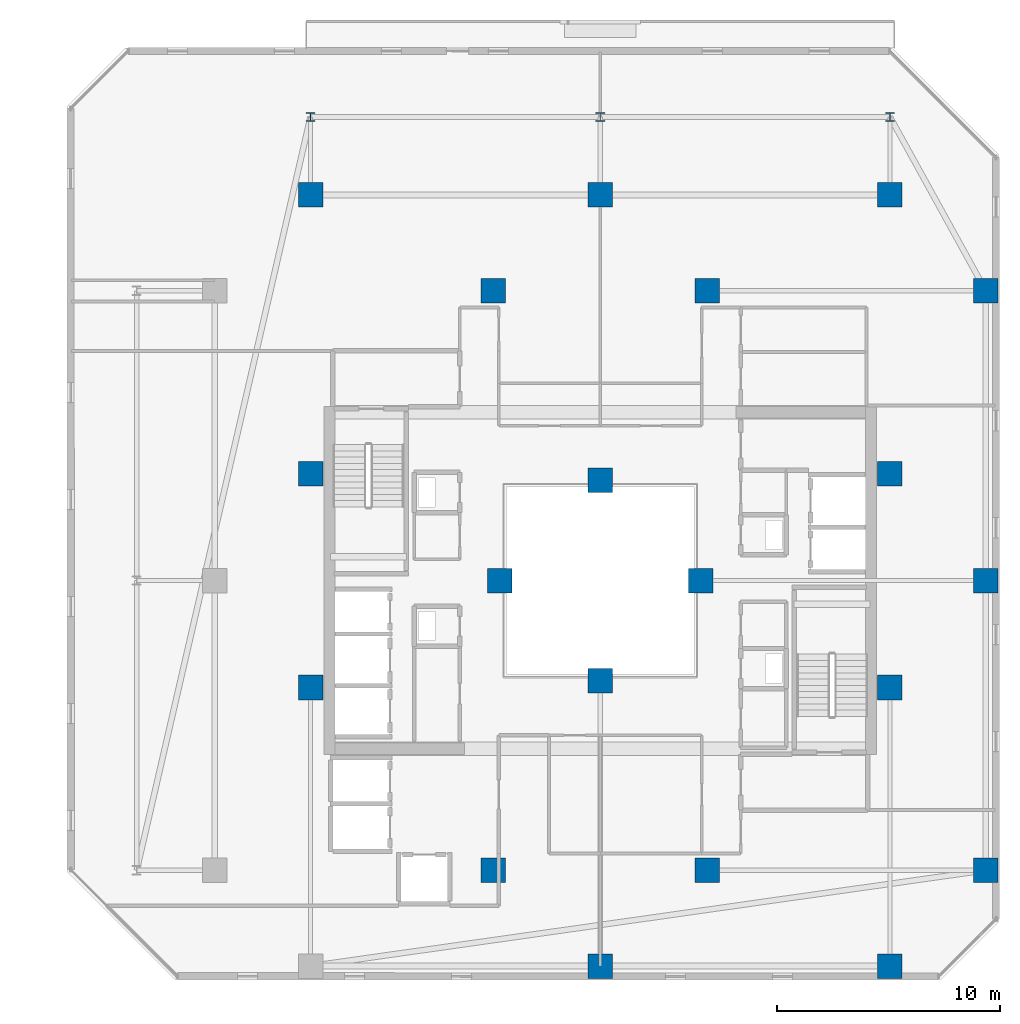
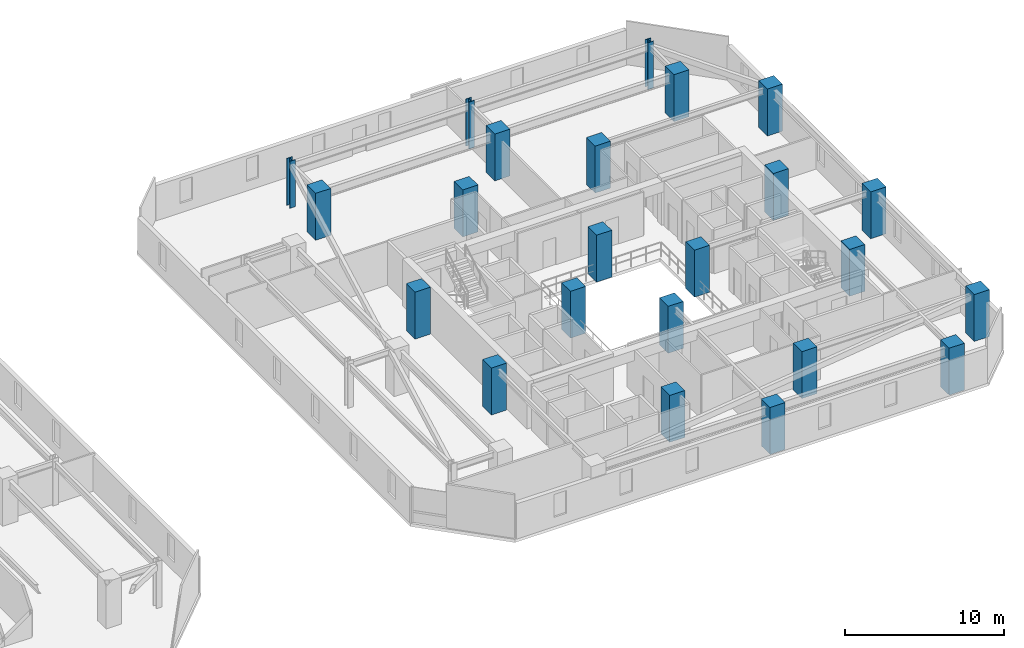
# One storey, part 2 of 33: 23 columns.
"""IFC4 building model written with IfcOpenShell, lengths in metres."""

import ifcopenshell
import ifcopenshell.guid

model = None  # the IFC model being written
_history = None  # IfcOwnerHistory: only IFC2X3 demands one
_inside = {}  # id of a spatial element -> (the spatial element, [elements in it])
_under = {}  # id of a project, library or spatial element -> (it, [spatial elements below it])
_declared = {}  # id of a project -> (the project, [libraries it declares])
_typed = {}  # id of a type object -> (the type object, [elements of that type])
_made_of = {}  # id of a material, layer set ... -> (it, [elements and type objects made of it])


def new_model(schema):
    """Start an empty IFC model of exactly this schema.

    Asked for "IFC4X3", IfcOpenShell would pick the latest addendum, in which some entities
    have other attributes; the version numbers below select the first issue.
    IFC2X3 requires an IfcOwnerHistory on every rooted entity: one is made here for all.
    """
    global model, _history
    if schema == "IFC4X3":
        model = ifcopenshell.file(schema_version=(4, 3, 0, 0))
    else:
        model = ifcopenshell.file(schema=schema)
    _inside.clear()
    _under.clear()
    _declared.clear()
    _typed.clear()
    _made_of.clear()
    _history = None
    if model.schema == "IFC2X3":
        org = make("IfcOrganization", Name="unknown")
        user = make(
            "IfcPersonAndOrganization",
            ThePerson=make("IfcPerson", FamilyName="unknown"),
            TheOrganization=org,
        )
        app = make(
            "IfcApplication",
            ApplicationDeveloper=org,
            Version="unknown",
            ApplicationFullName="unknown",
            ApplicationIdentifier="unknown",
        )
        _history = make(
            "IfcOwnerHistory",
            OwningUser=user,
            OwningApplication=app,
            ChangeAction="ADDED",
            CreationDate=0,
        )
    return model


def make(cls, **values):
    """One entity of the class cls with the attributes given. An attribute that is None is left unset."""
    return model.create_entity(
        cls, **{name: value for name, value in values.items() if value is not None}
    )


def rooted(cls, **values):
    """An entity with a GlobalId (a new one), such as an element, a storey or a relation."""
    return make(cls, GlobalId=ifcopenshell.guid.new(), OwnerHistory=_history, **values)


def si_unit(unit_type, name, prefix=None):
    """IfcSIUnit, for example si_unit("LENGTHUNIT", "METRE", prefix="MILLI")."""
    return make("IfcSIUnit", UnitType=unit_type, Prefix=prefix, Name=name)


def assignment(units):
    """IfcUnitAssignment: the units of a project."""
    return None if units is None else make("IfcUnitAssignment", Units=units)


def point(xyz):
    """IfcCartesianPoint."""
    return None if xyz is None else make("IfcCartesianPoint", Coordinates=xyz)


def direction(xyz):
    """IfcDirection."""
    return None if xyz is None else make("IfcDirection", DirectionRatios=xyz)


def frame(location, z_axis=None, x_axis=None):
    """IfcAxis2Placement3D, a coordinate frame: its origin and axes. An axis left out is left unset."""
    return make(
        "IfcAxis2Placement3D",
        Location=point(location),
        Axis=direction(z_axis),
        RefDirection=direction(x_axis),
    )


def frame_2d(location, x_axis=None):
    """IfcAxis2Placement2D, a coordinate frame in the plane: its origin and x axis."""
    return make(
        "IfcAxis2Placement2D", Location=point(location), RefDirection=direction(x_axis)
    )


def origin():
    """The frame at (0, 0, 0) with its axes left unset."""
    return frame((0.0, 0.0, 0.0))


def origin_2d():
    """The frame at (0, 0) in the plane with its x axis left unset."""
    return frame_2d((0.0, 0.0))


def place(relative_to, where):
    """IfcLocalPlacement: puts the frame where relative to a parent placement (None: the world)."""
    return make(
        "IfcLocalPlacement", PlacementRelTo=relative_to, RelativePlacement=where
    )


def context(
    kind, dimensions, precision=None, world=None, true_north=None, identifier=None
):
    """IfcGeometricRepresentationContext, for example the 3D "Model" context."""
    return make(
        "IfcGeometricRepresentationContext",
        ContextIdentifier=identifier,
        ContextType=kind,
        CoordinateSpaceDimension=dimensions,
        Precision=precision,
        WorldCoordinateSystem=world,
        TrueNorth=true_north,
    )


def subcontext(parent, identifier, kind, view, scale=None):
    """IfcGeometricRepresentationSubContext, for example "Body" below "Model"."""
    return make(
        "IfcGeometricRepresentationSubContext",
        ContextIdentifier=identifier,
        ContextType=kind,
        ParentContext=parent,
        TargetScale=scale,
        TargetView=view,
    )


def project(units=None, contexts=None):
    """IfcProject with its units and contexts."""
    return rooted(
        "IfcProject",
        Name="project",
        RepresentationContexts=contexts,
        UnitsInContext=assignment(units),
    )


def spatial(cls, under=None, at=None, **own):
    """A site, building, storey or space (cls), placed at a placement, below another one or the project."""
    s = rooted(cls, ObjectPlacement=at, **own)
    if under is not None:
        _under.setdefault(under.id(), (under, []))[1].append(s)
    return s


def profile(cls, at=None, kind="AREA", **sizes):
    """A parametric profile (cls). Its sizes go by their IFC names, for example OverallWidth=200.0."""
    return make(cls, ProfileType=kind, Position=at, **sizes)


def rectangle(**sizes):
    """IfcRectangleProfileDef."""
    return profile("IfcRectangleProfileDef", **sizes)


def i_section(**sizes):
    """IfcIShapeProfileDef."""
    return profile("IfcIShapeProfileDef", **sizes)


def extrude(swept, where, along, depth):
    """IfcExtrudedAreaSolid: the profile swept, set in the frame where, extruded along a direction by depth."""
    return make(
        "IfcExtrudedAreaSolid",
        SweptArea=swept,
        Position=where,
        ExtrudedDirection=direction(along),
        Depth=depth,
    )


def shape(context_of_items, identifier, shape_type, items):
    """IfcShapeRepresentation: the items that make up one representation, for example the "Body"."""
    return make(
        "IfcShapeRepresentation",
        ContextOfItems=context_of_items,
        RepresentationIdentifier=identifier,
        RepresentationType=shape_type,
        Items=items,
    )


def material(Name=None, Category=None):
    """IfcMaterial."""
    return make("IfcMaterial", Name=Name, Category=Category)


def material_profile(
    of_material, cross_section, Name=None, Category=None, Priority=None
):
    """IfcMaterialProfile: a cross section and its material."""
    return make(
        "IfcMaterialProfile",
        Name=Name,
        Material=of_material,
        Profile=cross_section,
        Priority=Priority,
        Category=Category,
    )


def profile_set(profiles, Name=None, composite=None):
    """IfcMaterialProfileSet."""
    return make(
        "IfcMaterialProfileSet",
        Name=Name,
        MaterialProfiles=profiles,
        CompositeProfile=composite,
    )


def made_of(thing, what):
    """Note that an element or type object is made of a material, layer set ...; save() writes the relation."""
    if what is not None:
        _made_of.setdefault(what.id(), (what, []))[1].append(thing)
    return thing


def type_object(cls, material=None, **own):
    """A type object (cls), such as IfcWallType, which elements share."""
    return made_of(rooted(cls, **own), material)


def element(
    cls,
    number,
    at=None,
    inside=None,
    cuts=None,
    type_object=None,
    material=None,
    context=None,
    identifier="Body",
    shape_type=None,
    held_by="IfcProductDefinitionShape",
    body=None,
    shapes=None,
    **own,
):
    """One element of the class cls, such as IfcWall. Its Tag is "e" and its number.

    at: its placement. inside: the storey or other place that contains it. cuts: it is an
    opening in that element (IfcRelVoidsElement). A single representation is given by context,
    identifier, shape_type and body (its items); several are given by shapes. held_by: the class
    of the entity that holds the representations. save() writes the other relations.
    """
    e = rooted(cls, Tag="e%d" % number, ObjectPlacement=at, **own)
    if body is not None:
        shapes = [shape(context, identifier, shape_type, body)]
    if shapes is not None:
        e.Representation = make(held_by, Representations=shapes)
    if inside is not None:
        _inside.setdefault(inside.id(), (inside, []))[1].append(e)
    if cuts is not None:
        rooted(
            "IfcRelVoidsElement", RelatingBuildingElement=cuts, RelatedOpeningElement=e
        )
    if type_object is not None:
        _typed.setdefault(type_object.id(), (type_object, []))[1].append(e)
    return made_of(e, material)


def aggregate(whole, parts):
    """IfcRelAggregates: a whole, such as a stair, and the parts it consists of."""
    return rooted("IfcRelAggregates", RelatingObject=whole, RelatedObjects=parts)


def save(model, path):
    """Write the relations noted so far, then the file.

    IfcRelAggregates (storeys below a building ...), IfcRelContainedInSpatialStructure (elements
    in a storey), IfcRelDefinesByType, IfcRelAssociatesMaterial and IfcRelDeclares: one each for
    every whole, place, type object, material and project.
    """
    for whole, parts in _under.values():
        aggregate(whole, parts)
    for where, things in _inside.values():
        rooted(
            "IfcRelContainedInSpatialStructure",
            RelatedElements=things,
            RelatingStructure=where,
        )
    for kind, things in _typed.values():
        rooted("IfcRelDefinesByType", RelatedObjects=things, RelatingType=kind)
    for what, things in _made_of.values():
        rooted("IfcRelAssociatesMaterial", RelatedObjects=things, RelatingMaterial=what)
    for by, libraries in _declared.values():
        rooted("IfcRelDeclares", RelatingContext=by, RelatedDefinitions=libraries)
    model.write(path)


model = new_model("IFC4")

# Units and contexts
model_context = context("Model", 3, precision=1e-05, world=origin(), true_north=direction((0.0, 1.0)))
body_context = subcontext(model_context, "Body", "Model", "MODEL_VIEW")
ifc_project = project(units=[si_unit("LENGTHUNIT", "METRE"), si_unit("AREAUNIT", "SQUARE_METRE"), si_unit("VOLUMEUNIT", "CUBIC_METRE"), si_unit("PLANEANGLEUNIT", "RADIAN"), si_unit("MASSUNIT", "GRAM", prefix="KILO")], contexts=[model_context])

# Site, building, storey
site_placement = place(None, origin())
site = spatial("IfcSite", under=ifc_project, at=site_placement, CompositionType="ELEMENT")
building_placement = place(site_placement, origin())
building = spatial("IfcBuilding", under=site, at=building_placement, Name="Thornwick Lancets Civic Towers", CompositionType="ELEMENT")
storey_placement = place(building_placement, frame((0.0, 0.0, 192.89990234375)))
storey = spatial("IfcBuildingStorey", under=building, at=storey_placement, Name="L51", CompositionType="ELEMENT", Elevation=192.89990234375)

# Columns
ifc_material_1 = material(Name="Concrete C50/60", Category="concrete")
ifc_material_profile_1 = material_profile(ifc_material_1, rectangle(XDim=1.10009765625, YDim=1.10009765625, at=origin_2d()), Name="RC 1100x1100")
ifc_profile_set_1 = profile_set([ifc_material_profile_1], Name="Concrete C50/60")
column_type_1 = type_object("IfcColumnType", Name="COL_RC_1100", PredefinedType="COLUMN", material=ifc_profile_set_1)
for number, where, z_axis, x_axis, name in (
    (1, (105.800048828125, 14.0, 0.0), (0.0, 0.0, 1.0), (1.0, 0.0, 0.0), "L51 Spine Mega-Column B01"),
    (2, (105.800048828125, 27.0, 0.0), (0.0, 0.0, 1.0), (1.0, 0.0, 0.0), "L51 Spine Mega-Column B02"),
    (3, (105.800048828125, 40.0, 0.0), (0.0, 0.0, 1.0), (1.0, 0.0, 0.0), "L51 Spine Mega-Column B03"),
    (4, (101.5, 44.300048828125, 0.0), (0.0, 0.0, 1.0), (1.0, 0.0, 0.0), "L51 Spine Mega-Column B04"),
    (5, (88.5, 44.300048828125, 0.0), (0.0, 0.0, 1.0), (1.0, 0.0, 0.0), "L51 Spine Mega-Column B05"),
    (6, (75.5, 44.300048828125, 0.0), (0.0, 0.0, 1.0), (1.0, 0.0, 0.0), "L51 Spine Mega-Column B06"),
    (7, (101.5, 9.699951171875, 0.0), (0.0, 0.0, 1.0), (1.0, 0.0, 0.0), "L51 Spine Mega-Column B10"),
    (8, (88.5, 9.699951171875, 0.0), (0.0, 0.0, 1.0), (1.0, 0.0, 0.0), "L51 Spine Mega-Column B11"),
    (9, (93.300048828125, 14.0, 0.0), (0.0, 0.0, 1.0), (1.0, 0.0, 0.0), "L51 Spine Mega-Column B13"),
    (10, (93.300048828125, 40.0, 0.0), (0.0, 0.0, 1.0), (1.0, 0.0, 0.0), "L51 Spine Mega-Column B14"),
    (11, (83.699951171875, 14.0, 0.0), (0.0, 0.0, 1.0), (1.0, 0.0, 0.0), "L51 Spine Mega-Column B15"),
    (12, (83.699951171875, 40.0, 0.0), (0.0, 0.0, 1.0), (1.0, 0.0, 0.0), "L51 Spine Mega-Column B16"),
    (13, (101.5, 22.199951171875, 0.0), (0.0, 0.0, 1.0), (1.0, 0.0, 0.0), "L51 Spine Mega-Column B17"),
    (14, (101.5, 31.800048828125, 0.0), (0.0, 0.0, 1.0), (1.0, 0.0, 0.0), "L51 Spine Mega-Column B18"),
    (15, (75.5, 22.199951171875, 0.0), (0.0, 0.0, 1.0), (1.0, 0.0, 0.0), "L51 Spine Mega-Column B19"),
    (16, (75.5, 31.800048828125, 0.0), (0.0, 0.0, 1.0), (1.0, 0.0, 0.0), "L51 Spine Mega-Column B20"),
    (17, (93.0, 27.0, 0.0), (0.0, 0.0, 1.0), (1.0, 0.0, 0.0), "L51 Spine Mega-Column B21"),
    (18, (84.0, 27.0, 0.0), (0.0, 0.0, 1.0), (1.0, 0.0, 0.0), "L51 Spine Mega-Column B22"),
    (19, (88.5, 22.5, 0.0), (0.0, 0.0, 1.0), (1.0, 0.0, 0.0), "L51 Spine Mega-Column B23"),
    (20, (88.5, 31.5, 0.0), (0.0, 0.0, 1.0), (1.0, 0.0, 0.0), "L51 Spine Mega-Column B24"),
):
    element("IfcColumn", number, at=place(storey_placement, frame(where, z_axis=z_axis, x_axis=x_axis)), inside=storey, type_object=column_type_1, Name=name, PredefinedType="COLUMN", context=body_context, shape_type="SweptSolid", body=[
        extrude(rectangle(XDim=1.10009765625, YDim=1.10009765625, at=origin_2d()), origin(), (0.0, 0.0, 1.0), 3.60009765625),
    ])
ifc_material_2 = material(Name="Steel S460M", Category="steel")
ifc_material_profile_2 = material_profile(ifc_material_2, i_section(OverallWidth=0.406982421875, OverallDepth=0.4189453125, WebThickness=0.030517578125, FlangeThickness=0.04931640625, FilletRadius=0.01513671875, at=origin_2d()), Name="UKC 356x406x393")
ifc_profile_set_2 = profile_set([ifc_material_profile_2], Name="Steel S460M")
column_type_2 = type_object("IfcColumnType", Name="COL_UKC_393", PredefinedType="COLUMN", material=ifc_profile_set_2)
for number, where, z_axis, x_axis, name in (
    (21, (101.5, 47.800048828125, 0.0), (0.0, 0.0, 1.0), (1.0, 0.0, 0.0), "L51 Block Perimeter Column B04"),
    (22, (88.5, 47.800048828125, 0.0), (0.0, 0.0, 1.0), (1.0, 0.0, 0.0), "L51 Block Perimeter Column B05"),
    (23, (75.5, 47.800048828125, 0.0), (0.0, 0.0, 1.0), (1.0, 0.0, 0.0), "L51 Block Perimeter Column B06"),
):
    element("IfcColumn", number, at=place(storey_placement, frame(where, z_axis=z_axis, x_axis=x_axis)), inside=storey, type_object=column_type_2, Name=name, PredefinedType="COLUMN", context=body_context, shape_type="SweptSolid", body=[
        extrude(i_section(OverallWidth=0.406982421875, OverallDepth=0.4189453125, WebThickness=0.030517578125, FlangeThickness=0.04931640625, FilletRadius=0.01513671875, at=origin_2d()), origin(), (0.0, 0.0, 1.0), 3.60009765625),
    ])

save(model, "model.ifc")
